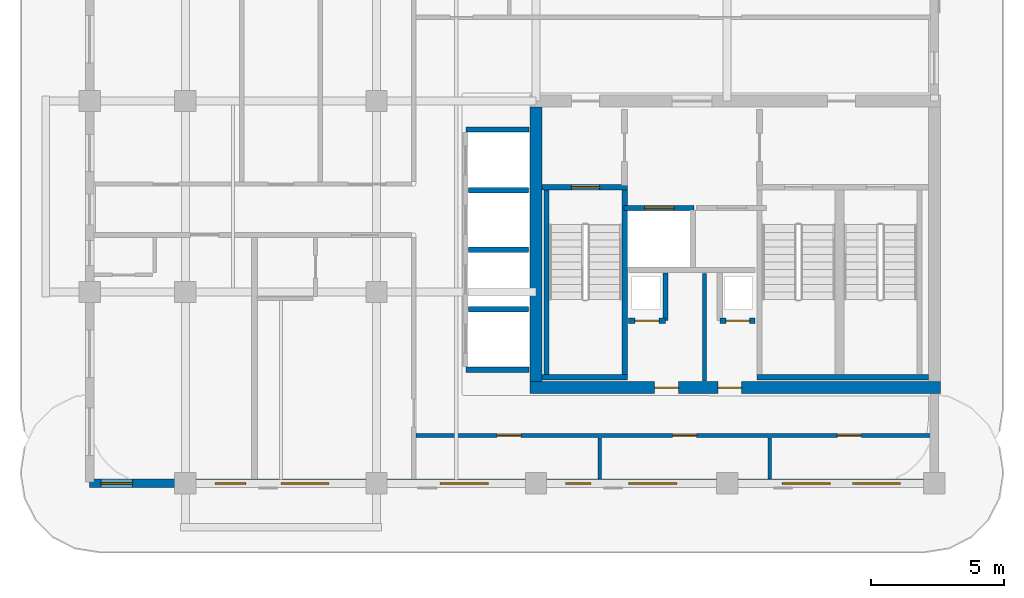
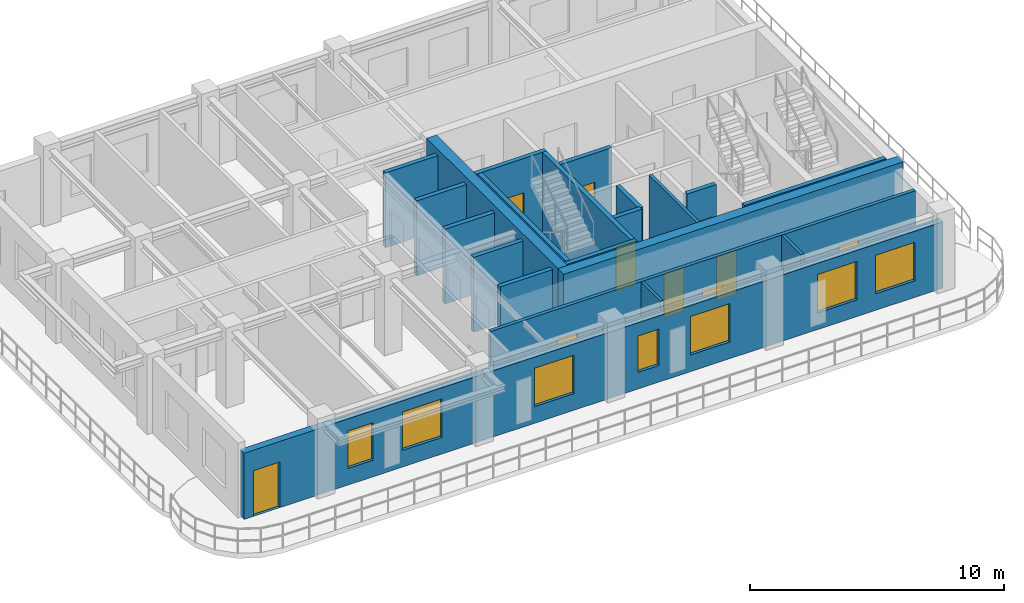
# One storey, part 3 of 7: 21 walls, 10 doors, 7 windows, 17 openings.
"""IFC4 building model written with IfcOpenShell, lengths in metres."""

from ifc_helpers import new_model, si_unit, derived_unit, direction, frame, frame_2d, origin, place, context, subcontext, project, spatial, rectangle, extrude, source, transform, mapped, material, layer, layer_set, type_object, type_shapes, element, fill, save


model = new_model("IFC4")

# Units and contexts
model_context = context("Model", 3, precision=1e-05, world=origin(), true_north=direction((0.0, 1.0)))
body_context = subcontext(model_context, "Body", "Model", "MODEL_VIEW")
ifc_project = project(units=[si_unit("LENGTHUNIT", "METRE"), si_unit("AREAUNIT", "SQUARE_METRE"), si_unit("VOLUMEUNIT", "CUBIC_METRE"), si_unit("PLANEANGLEUNIT", "RADIAN"), si_unit("MASSUNIT", "GRAM", prefix="KILO"), si_unit("THERMODYNAMICTEMPERATUREUNIT", "KELVIN"), si_unit("POWERUNIT", "WATT"), derived_unit("THERMALTRANSMITTANCEUNIT", [(si_unit("POWERUNIT", "WATT"), 1), (si_unit("AREAUNIT", "SQUARE_METRE"), -1), (si_unit("THERMODYNAMICTEMPERATUREUNIT", "KELVIN"), -1)])], contexts=[model_context])

# Site, building, storey
site_placement = place(None, origin())
site = spatial("IfcSite", under=ifc_project, at=site_placement, CompositionType="ELEMENT")
building_placement = place(site_placement, origin())
building = spatial("IfcBuilding", under=site, at=building_placement, Name="Zahravan Archway Hotel and Residences", CompositionType="ELEMENT")
storey_placement = place(building_placement, frame((0.0, 0.0, 271.199951171875)))
storey = spatial("IfcBuildingStorey", under=building, at=storey_placement, Name="L68", CompositionType="ELEMENT", Elevation=271.199951171875)

# Wall, openings, doors
ifc_material_1 = material(Name="Concrete C50/60", Category="concrete")
ifc_layer_1 = layer(ifc_material_1, 0.449951171875, Name="Concrete C50/60", Category="concrete")
ifc_layer_set_1 = layer_set([ifc_layer_1], Name="Concrete C50/60")
wall_type_1 = type_object("IfcWallType", Name="CW-CORE-450", PredefinedType="SHEAR", material=ifc_layer_set_1)
wall_1_placement = place(storey_placement, frame((34.574951171875, 3.60009765625, 0.0), z_axis=(0.0, 0.0, 1.0), x_axis=(1.0, 0.0, 0.0)))
wall_1 = element("IfcWall", 1, at=wall_1_placement, inside=storey, type_object=wall_type_1, Name="L68 Core A Shear S Wall 450 mm", PredefinedType="SHEAR", context=body_context, shape_type="SweptSolid", body=[
    extrude(rectangle(XDim=15.449951171875, YDim=0.449951171875, at=frame_2d((7.72509765625, 0.0))), origin(), (0.0, 0.0, 1.0), 3.85009765625),
])
opening_1_placement = place(wall_1_placement, frame((4.695068359375, 0.0, 0.0)))
opening_1 = element("IfcOpeningElement", 2, at=opening_1_placement, cuts=wall_1, Name="Opening FD-R1", PredefinedType="OPENING", context=body_context, shape_type="SweptSolid", body=[
    extrude(rectangle(XDim=0.89990234375, YDim=2.10009765625, at=frame_2d((0.449951171875, 1.050048828125))), frame((0.0, 0.23486328125, 0.0), z_axis=(0.0, -1.0, 0.0), x_axis=(1.0, 0.0, 0.0)), (0.0, 0.0, 1.0), 0.469970703125),
])
opening_2_placement = place(wall_1_placement, frame((7.074951171875, 0.0, 0.0)))
opening_2 = element("IfcOpeningElement", 3, at=opening_2_placement, cuts=wall_1, Name="Opening FD-R1", PredefinedType="OPENING", context=body_context, shape_type="SweptSolid", body=[
    extrude(rectangle(XDim=0.89990234375, YDim=2.10009765625, at=frame_2d((0.449951171875, 1.050048828125))), frame((0.0, 0.23486328125, 0.0), z_axis=(0.0, -1.0, 0.0), x_axis=(1.0, 0.0, 0.0)), (0.0, 0.0, 1.0), 0.469970703125),
])
ifc_material_2 = material(Name="Fire-Rated Painted Steel", Category="steel")
door_type_1 = type_object("IfcDoorType", Name="FD-RISER-900", OperationType="NOTDEFINED", PredefinedType="DOOR", material=ifc_material_2)
shared_shape_1 = source(origin(), body_context, "Body", "SweptSolid", [
    extrude(rectangle(XDim=0.89990234375, YDim=2.10009765625, at=frame_2d((0.449951171875, 1.050048828125))), frame((0.0, 0.02490234375, 0.0), z_axis=(0.0, -1.0, 0.0), x_axis=(1.0, 0.0, 0.0)), (0.0, 0.0, 1.0), 0.050048828125),
])
type_shapes(door_type_1, [shared_shape_1])
door_1_placement = place(opening_1_placement, origin())
door_1 = element("IfcDoor", 4, at=door_1_placement, inside=storey, type_object=door_type_1, Name="L68 Fan Room Door", OperationType="SINGLE_SWING_LEFT", OverallHeight=2.10009765625, OverallWidth=0.89990234375, PredefinedType="DOOR", context=body_context, shape_type="MappedRepresentation", body=[
    mapped(shared_shape_1, transform((0.0, 0.0, 0.0), scale=1.0)),
])
fill(opening_1, door_1)
door_2_placement = place(opening_2_placement, origin())
door_2 = element("IfcDoor", 5, at=door_2_placement, inside=storey, type_object=door_type_1, Name="L68 Sub-Meter Cupboard Door", OperationType="SINGLE_SWING_RIGHT", OverallHeight=2.10009765625, OverallWidth=0.89990234375, PredefinedType="DOOR", context=body_context, shape_type="MappedRepresentation", body=[
    mapped(shared_shape_1, transform((0.0, 0.0, 0.0), scale=1.0)),
])
fill(opening_2, door_2)

# Wall
wall_2_placement = place(storey_placement, frame((34.800048828125, 3.824951171875, 0.0), z_axis=(0.0, 0.0, 1.0), x_axis=(0.0, 1.0, 0.0)))
element("IfcWall", 6, at=wall_2_placement, inside=storey, type_object=wall_type_1, Name="L68 Core A Shear W Wall 450 mm", PredefinedType="SHEAR", context=body_context, shape_type="SweptSolid", body=[
    extrude(rectangle(XDim=10.35009765625, YDim=0.449951171875, at=frame_2d((5.175048828125, 0.0))), origin(), (0.0, 0.0, 1.0), 3.85009765625),
])

# Wall, openings, door, windows
ifc_material_3 = material(Name="Agra Buff Sandstone & Insulated Backup", Category="masonry")
ifc_layer_2 = layer(ifc_material_3, 0.320068359375, Name="Agra Buff Sandstone & Insulated Backup", Category="masonry")
ifc_layer_set_2 = layer_set([ifc_layer_2], Name="Agra Buff Sandstone & Insulated Backup")
wall_type_2 = type_object("IfcWallType", Name="EW-SAND-320", PredefinedType="SOLIDWALL", material=ifc_layer_set_2)
wall_3_placement = place(storey_placement, frame((18.0, 0.0, 0.0), z_axis=(0.0, 0.0, 1.0), x_axis=(1.0, 0.0, 0.0)))
wall_3 = element("IfcWall", 7, at=wall_3_placement, inside=storey, type_object=wall_type_2, Name="L68 Exterior Sandstone Wall WA-S", PredefinedType="SOLIDWALL", context=body_context, shape_type="SweptSolid", body=[
    extrude(rectangle(XDim=31.800048828125, YDim=0.320068359375, at=frame_2d((15.89990234375, 0.0))), origin(), (0.0, 0.0, 1.0), 3.18505859375),
])
opening_3_placement = place(wall_3_placement, frame((0.419921875, 0.0, 0.0)))
opening_3 = element("IfcOpeningElement", 8, at=opening_3_placement, cuts=wall_3, Name="Opening ED-BL1", PredefinedType="OPENING", context=body_context, shape_type="SweptSolid", body=[
    extrude(rectangle(XDim=1.199951171875, YDim=2.199951171875, at=frame_2d((0.60009765625, 1.10009765625))), frame((0.0, 0.169921875, 0.0), z_axis=(0.0, -1.0, 0.0), x_axis=(1.0, 0.0, 0.0)), (0.0, 0.0, 1.0), 0.340087890625),
])
opening_4_placement = place(wall_3_placement, frame((4.720947265625, 0.0, 0.800048828125)))
opening_4 = element("IfcOpeningElement", 9, at=opening_4_placement, cuts=wall_3, Name="Opening W-05", PredefinedType="OPENING", context=body_context, shape_type="SweptSolid", body=[
    extrude(rectangle(XDim=1.14990234375, YDim=1.800048828125, at=frame_2d((0.574951171875, 0.89990234375))), frame((0.0, 0.169921875, 0.0), z_axis=(0.0, -1.0, 0.0), x_axis=(1.0, 0.0, 0.0)), (0.0, 0.0, 1.0), 0.340087890625),
])
opening_5_placement = place(wall_3_placement, frame((7.2041015625, 0.0, 0.800048828125)))
opening_5 = element("IfcOpeningElement", 10, at=opening_5_placement, cuts=wall_3, Name="Opening W-02", PredefinedType="OPENING", context=body_context, shape_type="SweptSolid", body=[
    extrude(rectangle(XDim=1.800048828125, YDim=1.85009765625, at=frame_2d((0.89990234375, 0.925048828125))), frame((0.0, 0.169921875, 0.0), z_axis=(0.0, -1.0, 0.0), x_axis=(1.0, 0.0, 0.0)), (0.0, 0.0, 1.0), 0.340087890625),
])
opening_6_placement = place(wall_3_placement, frame((13.2041015625, 0.0, 0.800048828125)))
opening_6 = element("IfcOpeningElement", 11, at=opening_6_placement, cuts=wall_3, Name="Opening W-02", PredefinedType="OPENING", context=body_context, shape_type="SweptSolid", body=[
    extrude(rectangle(XDim=1.800048828125, YDim=1.85009765625, at=frame_2d((0.89990234375, 0.925048828125))), frame((0.0, 0.169921875, 0.0), z_axis=(0.0, -1.0, 0.0), x_axis=(1.0, 0.0, 0.0)), (0.0, 0.0, 1.0), 0.340087890625),
])
opening_7_placement = place(wall_3_placement, frame((17.9208984375, 0.0, 0.800048828125)))
opening_7 = element("IfcOpeningElement", 12, at=opening_7_placement, cuts=wall_3, Name="Opening W-04", PredefinedType="OPENING", context=body_context, shape_type="SweptSolid", body=[
    extrude(rectangle(XDim=0.949951171875, YDim=1.75, at=frame_2d((0.47509765625, 0.875))), frame((0.0, 0.169921875, 0.0), z_axis=(0.0, -1.0, 0.0), x_axis=(1.0, 0.0, 0.0)), (0.0, 0.0, 1.0), 0.340087890625),
])
opening_8_placement = place(wall_3_placement, frame((20.303955078125, 0.0, 0.800048828125)))
opening_8 = element("IfcOpeningElement", 13, at=opening_8_placement, cuts=wall_3, Name="Opening W-02", PredefinedType="OPENING", context=body_context, shape_type="SweptSolid", body=[
    extrude(rectangle(XDim=1.800048828125, YDim=1.85009765625, at=frame_2d((0.89990234375, 0.925048828125))), frame((0.0, 0.169921875, 0.0), z_axis=(0.0, -1.0, 0.0), x_axis=(1.0, 0.0, 0.0)), (0.0, 0.0, 1.0), 0.340087890625),
])
opening_9_placement = place(wall_3_placement, frame((26.0810546875, 0.0, 0.800048828125)))
opening_9 = element("IfcOpeningElement", 14, at=opening_9_placement, cuts=wall_3, Name="Opening W-02", PredefinedType="OPENING", context=body_context, shape_type="SweptSolid", body=[
    extrude(rectangle(XDim=1.800048828125, YDim=1.85009765625, at=frame_2d((0.89990234375, 0.925048828125))), frame((0.0, 0.169921875, 0.0), z_axis=(0.0, -1.0, 0.0), x_axis=(1.0, 0.0, 0.0)), (0.0, 0.0, 1.0), 0.340087890625),
])
opening_10_placement = place(wall_3_placement, frame((28.72705078125, 0.0, 0.800048828125)))
opening_10 = element("IfcOpeningElement", 15, at=opening_10_placement, cuts=wall_3, Name="Opening W-02", PredefinedType="OPENING", context=body_context, shape_type="SweptSolid", body=[
    extrude(rectangle(XDim=1.800048828125, YDim=1.85009765625, at=frame_2d((0.89990234375, 0.925048828125))), frame((0.0, 0.169921875, 0.0), z_axis=(0.0, -1.0, 0.0), x_axis=(1.0, 0.0, 0.0)), (0.0, 0.0, 1.0), 0.340087890625),
])
ifc_material_4 = material(Name="Bronze-Anodized Glazed Aluminium", Category="aluminium")
door_type_2 = type_object("IfcDoorType", Name="ED-BALC-1200", OperationType="SLIDING_TO_LEFT", PredefinedType="DOOR", material=ifc_material_4)
shared_shape_2 = source(origin(), body_context, "Body", "SweptSolid", [
    extrude(rectangle(XDim=1.199951171875, YDim=2.199951171875, at=frame_2d((0.60009765625, 1.10009765625))), frame((0.0, 0.02490234375, 0.0), z_axis=(0.0, -1.0, 0.0), x_axis=(1.0, 0.0, 0.0)), (0.0, 0.0, 1.0), 0.050048828125),
])
type_shapes(door_type_2, [shared_shape_2])
door_3_placement = place(opening_3_placement, origin())
door_3 = element("IfcDoor", 16, at=door_3_placement, inside=storey, type_object=door_type_2, Name="L68 Outdoor Access Sliding Door (SLB-BAL-L68-SA)", OperationType="SLIDING_TO_LEFT", OverallHeight=2.199951171875, OverallWidth=1.199951171875, PredefinedType="DOOR", context=body_context, shape_type="MappedRepresentation", body=[
    mapped(shared_shape_2, transform((0.0, 0.0, 0.0), scale=1.0)),
])
fill(opening_3, door_3)
ifc_material_5 = material(Name="Bronze-Anodized Thermal-Break Aluminium & Low-E Glass", Category="aluminium")
window_type_1 = type_object("IfcWindowType", Name="WIN-NAR-950", PartitioningType="SINGLE_PANEL", PredefinedType="WINDOW", material=ifc_material_5)
shared_shape_3 = source(origin(), body_context, "Body", "SweptSolid", [
    extrude(rectangle(XDim=0.949951171875, YDim=1.75, at=frame_2d((0.47509765625, 0.875))), frame((0.0, 0.030029296875, 0.0), z_axis=(0.0, -1.0, 0.0), x_axis=(1.0, 0.0, 0.0)), (0.0, 0.0, 1.0), 0.06005859375),
])
type_shapes(window_type_1, [shared_shape_3])
window_1_placement = place(opening_7_placement, origin())
window_1 = element("IfcWindow", 17, at=window_1_placement, inside=storey, type_object=window_type_1, Name="L68 Loggia Window 04", OverallHeight=1.75, OverallWidth=0.949951171875, PartitioningType="SINGLE_PANEL", PredefinedType="WINDOW", context=body_context, shape_type="MappedRepresentation", body=[
    mapped(shared_shape_3, transform((0.0, 0.0, 0.0), scale=1.0)),
])
fill(opening_7, window_1)
window_type_2 = type_object("IfcWindowType", Name="WIN-TWR-1800", PartitioningType="DOUBLE_PANEL_VERTICAL", PredefinedType="WINDOW", material=ifc_material_5)
shared_shape_4 = source(origin(), body_context, "Body", "SweptSolid", [
    extrude(rectangle(XDim=1.800048828125, YDim=1.85009765625, at=frame_2d((0.89990234375, 0.925048828125))), frame((0.0, 0.030029296875, 0.0), z_axis=(0.0, -1.0, 0.0), x_axis=(1.0, 0.0, 0.0)), (0.0, 0.0, 1.0), 0.06005859375),
])
type_shapes(window_type_2, [shared_shape_4])
window_2_placement = place(opening_5_placement, origin())
window_2 = element("IfcWindow", 18, at=window_2_placement, inside=storey, type_object=window_type_2, Name="L68 Loggia Window 02", OverallHeight=1.85009765625, OverallWidth=1.800048828125, PartitioningType="DOUBLE_PANEL_VERTICAL", PredefinedType="WINDOW", context=body_context, shape_type="MappedRepresentation", body=[
    mapped(shared_shape_4, transform((0.0, 0.0, 0.0), scale=1.0)),
])
fill(opening_5, window_2)
window_3_placement = place(opening_6_placement, origin())
window_3 = element("IfcWindow", 19, at=window_3_placement, inside=storey, type_object=window_type_2, Name="L68 Loggia Window 03", OverallHeight=1.85009765625, OverallWidth=1.800048828125, PartitioningType="DOUBLE_PANEL_VERTICAL", PredefinedType="WINDOW", context=body_context, shape_type="MappedRepresentation", body=[
    mapped(shared_shape_4, transform((0.0, 0.0, 0.0), scale=1.0)),
])
fill(opening_6, window_3)
window_4_placement = place(opening_8_placement, origin())
window_4 = element("IfcWindow", 20, at=window_4_placement, inside=storey, type_object=window_type_2, Name="L68 Loggia Window 05", OverallHeight=1.85009765625, OverallWidth=1.800048828125, PartitioningType="DOUBLE_PANEL_VERTICAL", PredefinedType="WINDOW", context=body_context, shape_type="MappedRepresentation", body=[
    mapped(shared_shape_4, transform((0.0, 0.0, 0.0), scale=1.0)),
])
fill(opening_8, window_4)
window_5_placement = place(opening_9_placement, origin())
window_5 = element("IfcWindow", 21, at=window_5_placement, inside=storey, type_object=window_type_2, Name="L68 Loggia Window 06", OverallHeight=1.85009765625, OverallWidth=1.800048828125, PartitioningType="DOUBLE_PANEL_VERTICAL", PredefinedType="WINDOW", context=body_context, shape_type="MappedRepresentation", body=[
    mapped(shared_shape_4, transform((0.0, 0.0, 0.0), scale=1.0)),
])
fill(opening_9, window_5)
window_6_placement = place(opening_10_placement, origin())
window_6 = element("IfcWindow", 22, at=window_6_placement, inside=storey, type_object=window_type_2, Name="L68 Loggia Window 07", OverallHeight=1.85009765625, OverallWidth=1.800048828125, PartitioningType="DOUBLE_PANEL_VERTICAL", PredefinedType="WINDOW", context=body_context, shape_type="MappedRepresentation", body=[
    mapped(shared_shape_4, transform((0.0, 0.0, 0.0), scale=1.0)),
])
fill(opening_10, window_6)
window_type_3 = type_object("IfcWindowType", Name="WIN-TWR-1150", PartitioningType="SINGLE_PANEL", PredefinedType="WINDOW", material=ifc_material_5)
shared_shape_5 = source(origin(), body_context, "Body", "SweptSolid", [
    extrude(rectangle(XDim=1.14990234375, YDim=1.800048828125, at=frame_2d((0.574951171875, 0.89990234375))), frame((0.0, 0.030029296875, 0.0), z_axis=(0.0, -1.0, 0.0), x_axis=(1.0, 0.0, 0.0)), (0.0, 0.0, 1.0), 0.06005859375),
])
type_shapes(window_type_3, [shared_shape_5])
window_7_placement = place(opening_4_placement, origin())
window_7 = element("IfcWindow", 23, at=window_7_placement, inside=storey, type_object=window_type_3, Name="L68 Loggia Window 01", OverallHeight=1.800048828125, OverallWidth=1.14990234375, PartitioningType="SINGLE_PANEL", PredefinedType="WINDOW", context=body_context, shape_type="MappedRepresentation", body=[
    mapped(shared_shape_5, transform((0.0, 0.0, 0.0), scale=1.0)),
])
fill(opening_4, window_7)

# Wall, openings, doors
ifc_material_6 = material(Name="Fire-Rated Gypsum & Concrete Block", Category="concrete")
ifc_layer_3 = layer(ifc_material_6, 0.159912109375, Name="Fire-Rated Gypsum & Concrete Block", Category="concrete")
ifc_layer_set_3 = layer_set([ifc_layer_3], Name="Fire-Rated Gypsum & Concrete Block")
wall_type_3 = type_object("IfcWallType", Name="PW-CORR-160", PredefinedType="PARTITIONING", material=ifc_layer_set_3)
wall_4_placement = place(storey_placement, frame((30.2900390625, 1.800048828125, 0.0), z_axis=(0.0, 0.0, 1.0), x_axis=(1.0, 0.0, 0.0)))
wall_4 = element("IfcWall", 24, at=wall_4_placement, inside=storey, type_object=wall_type_3, Name="L68 Partition WA-SRS", PredefinedType="PARTITIONING", context=body_context, shape_type="SweptSolid", body=[
    extrude(rectangle(XDim=19.369873046875, YDim=0.159912109375, at=frame_2d((9.68505859375, 0.0))), origin(), (0.0, 0.0, 1.0), 3.60009765625),
])
opening_11_placement = place(wall_4_placement, frame((3.0537109375, 0.0, 0.0)))
opening_11 = element("IfcOpeningElement", 25, at=opening_11_placement, cuts=wall_4, Name="Opening D-I2", PredefinedType="OPENING", context=body_context, shape_type="SweptSolid", body=[
    extrude(rectangle(XDim=0.89990234375, YDim=2.14990234375, at=frame_2d((0.449951171875, 1.074951171875))), frame((0.0, 0.08984375, 0.0), z_axis=(0.0, -1.0, 0.0), x_axis=(1.0, 0.0, 0.0)), (0.0, 0.0, 1.0), 0.179931640625),
])
opening_12_placement = place(wall_4_placement, frame((9.659912109375, 0.0, 0.0)))
opening_12 = element("IfcOpeningElement", 26, at=opening_12_placement, cuts=wall_4, Name="Opening D-I2", PredefinedType="OPENING", context=body_context, shape_type="SweptSolid", body=[
    extrude(rectangle(XDim=0.89990234375, YDim=2.14990234375, at=frame_2d((0.449951171875, 1.074951171875))), frame((0.0, 0.08984375, 0.0), z_axis=(0.0, -1.0, 0.0), x_axis=(1.0, 0.0, 0.0)), (0.0, 0.0, 1.0), 0.179931640625),
])
opening_13_placement = place(wall_4_placement, frame((15.860107421875, 0.0, 0.0)))
opening_13 = element("IfcOpeningElement", 27, at=opening_13_placement, cuts=wall_4, Name="Opening D-I2", PredefinedType="OPENING", context=body_context, shape_type="SweptSolid", body=[
    extrude(rectangle(XDim=0.89990234375, YDim=2.14990234375, at=frame_2d((0.449951171875, 1.074951171875))), frame((0.0, 0.08984375, 0.0), z_axis=(0.0, -1.0, 0.0), x_axis=(1.0, 0.0, 0.0)), (0.0, 0.0, 1.0), 0.179931640625),
])
ifc_material_7 = material(Name="Hardwood Veneer Timber", Category="wood")
door_type_3 = type_object("IfcDoorType", Name="ID-INT-900", OperationType="NOTDEFINED", PredefinedType="DOOR", material=ifc_material_7)
shared_shape_6 = source(origin(), body_context, "Body", "SweptSolid", [
    extrude(rectangle(XDim=0.89990234375, YDim=2.14990234375, at=frame_2d((0.449951171875, 1.074951171875))), frame((0.0, 0.02490234375, 0.0), z_axis=(0.0, -1.0, 0.0), x_axis=(1.0, 0.0, 0.0)), (0.0, 0.0, 1.0), 0.050048828125),
])
type_shapes(door_type_3, [shared_shape_6])
door_4_placement = place(opening_11_placement, origin())
door_4 = element("IfcDoor", 28, at=door_4_placement, inside=storey, type_object=door_type_3, Name="L68 South Office Door", OperationType="SINGLE_SWING_RIGHT", OverallHeight=2.14990234375, OverallWidth=0.89990234375, PredefinedType="DOOR", context=body_context, shape_type="MappedRepresentation", body=[
    mapped(shared_shape_6, transform((0.0, 0.0, 0.0), scale=1.0)),
])
fill(opening_11, door_4)
door_5_placement = place(opening_12_placement, origin())
door_5 = element("IfcDoor", 29, at=door_5_placement, inside=storey, type_object=door_type_3, Name="L68 South Meeting Door", OperationType="SINGLE_SWING_LEFT", OverallHeight=2.14990234375, OverallWidth=0.89990234375, PredefinedType="DOOR", context=body_context, shape_type="MappedRepresentation", body=[
    mapped(shared_shape_6, transform((0.0, 0.0, 0.0), scale=1.0)),
])
fill(opening_12, door_5)
door_6_placement = place(opening_13_placement, origin())
door_6 = element("IfcDoor", 30, at=door_6_placement, inside=storey, type_object=door_type_3, Name="L68 South Prayer Alcove Door", OperationType="SINGLE_SWING_RIGHT", OverallHeight=2.14990234375, OverallWidth=0.89990234375, PredefinedType="DOOR", context=body_context, shape_type="MappedRepresentation", body=[
    mapped(shared_shape_6, transform((0.0, 0.0, 0.0), scale=1.0)),
])
fill(opening_13, door_6)

# Walls
ifc_material_8 = material(Name="Acoustic Stud Partition")
ifc_layer_4 = layer(ifc_material_8, 0.125, Name="Acoustic Stud Partition")
ifc_layer_set_4 = layer_set([ifc_layer_4], Name="Acoustic Stud Partition")
wall_type_4 = type_object("IfcWallType", Name="PW-INT-125", PredefinedType="PARTITIONING", material=ifc_layer_set_4)
for number, where, z_axis, x_axis, name in (
    (31, (37.199951171875, 0.16796875, 0.0), (0.0, 0.0, 1.0), (0.0, 1.0, 0.0), "L68 Partition S-DIV2A"),
    (32, (43.60009765625, 0.16796875, 0.0), (0.0, 0.0, 1.0), (0.0, 1.0, 0.0), "L68 Partition S-DIV2B"),
):
    element("IfcWall", number, at=place(storey_placement, frame(where, z_axis=z_axis, x_axis=x_axis)), inside=storey, type_object=wall_type_4, Name=name, PredefinedType="PARTITIONING", context=body_context, shape_type="SweptSolid", body=[
        extrude(rectangle(XDim=1.5419921875, YDim=0.125, at=frame_2d((0.77099609375, 0.0))), origin(), (0.0, 0.0, 1.0), 3.60009765625),
    ])

# Wall, opening, door
ifc_layer_5 = layer(ifc_material_6, 0.199951171875, Name="Fire-Rated Gypsum & Concrete Block", Category="concrete")
ifc_layer_set_5 = layer_set([ifc_layer_5], Name="Fire-Rated Gypsum & Concrete Block")
wall_type_5 = type_object("IfcWallType", Name="PW-SHAFT-200", PredefinedType="PARTITIONING", material=ifc_layer_set_5)
wall_5_placement = place(storey_placement, frame((38.2900390625, 6.1201171875, 0.0), z_axis=(0.0, 0.0, 1.0), x_axis=(1.0, 0.0, 0.0)))
wall_5 = element("IfcWall", 33, at=wall_5_placement, inside=storey, type_object=wall_type_5, Name="L68 Partition CA-SMKS", PredefinedType="PARTITIONING", context=body_context, shape_type="SweptSolid", body=[
    extrude(rectangle(XDim=1.3798828125, YDim=0.199951171875, at=frame_2d((0.68994140625, 0.0))), origin(), (0.0, 0.0, 1.0), 3.60009765625),
])
opening_14_placement = place(wall_5_placement, frame((0.239990234375, 0.0, 0.0)))
opening_14 = element("IfcOpeningElement", 34, at=opening_14_placement, cuts=wall_5, Name="Opening FD-R1", PredefinedType="OPENING", context=body_context, shape_type="SweptSolid", body=[
    extrude(rectangle(XDim=0.89990234375, YDim=2.10009765625, at=frame_2d((0.449951171875, 1.050048828125))), frame((0.0, 0.10986328125, 0.0), z_axis=(0.0, -1.0, 0.0), x_axis=(1.0, 0.0, 0.0)), (0.0, 0.0, 1.0), 0.219970703125),
])
door_7_placement = place(opening_14_placement, origin())
door_7 = element("IfcDoor", 35, at=door_7_placement, inside=storey, type_object=door_type_1, Name="L68 Smoke Riser Access Door", OperationType="SINGLE_SWING_LEFT", OverallHeight=2.10009765625, OverallWidth=0.89990234375, PredefinedType="DOOR", context=body_context, shape_type="MappedRepresentation", body=[
    mapped(shared_shape_1, transform((0.0, 0.0, 0.0), scale=1.0)),
])
fill(opening_14, door_7)

# Wall
wall_6_placement = place(storey_placement, frame((39.679931640625, 6.1298828125, 0.0), z_axis=(0.0, 0.0, 1.0), x_axis=(0.0, 1.0, 0.0)))
element("IfcWall", 36, at=wall_6_placement, inside=storey, type_object=wall_type_5, Name="L68 Partition CA-SMKE", PredefinedType="PARTITIONING", context=body_context, shape_type="SweptSolid", body=[
    extrude(rectangle(XDim=1.7900390625, YDim=0.199951171875, at=frame_2d((0.89501953125, 0.0))), origin(), (0.0, 0.0, 1.0), 3.60009765625),
])

# Wall, opening, door
wall_7_placement = place(storey_placement, frame((41.72998046875, 6.1201171875, 0.0), z_axis=(0.0, 0.0, 1.0), x_axis=(1.0, 0.0, 0.0)))
wall_7 = element("IfcWall", 37, at=wall_7_placement, inside=storey, type_object=wall_type_5, Name="L68 Partition CA-MEPS", PredefinedType="PARTITIONING", context=body_context, shape_type="SweptSolid", body=[
    extrude(rectangle(XDim=1.320068359375, YDim=0.199951171875, at=frame_2d((0.66015625, 0.0))), origin(), (0.0, 0.0, 1.0), 3.60009765625),
])
opening_15_placement = place(wall_7_placement, frame((0.219970703125, 0.0, 0.0)))
opening_15 = element("IfcOpeningElement", 38, at=opening_15_placement, cuts=wall_7, Name="Opening FD-R1", PredefinedType="OPENING", context=body_context, shape_type="SweptSolid", body=[
    extrude(rectangle(XDim=0.89990234375, YDim=2.10009765625, at=frame_2d((0.449951171875, 1.050048828125))), frame((0.0, 0.10986328125, 0.0), z_axis=(0.0, -1.0, 0.0), x_axis=(1.0, 0.0, 0.0)), (0.0, 0.0, 1.0), 0.219970703125),
])
door_8_placement = place(opening_15_placement, origin())
door_8 = element("IfcDoor", 39, at=door_8_placement, inside=storey, type_object=door_type_1, Name="L68 MEP Riser Access Door", OperationType="SINGLE_SWING_RIGHT", OverallHeight=2.10009765625, OverallWidth=0.89990234375, PredefinedType="DOOR", context=body_context, shape_type="MappedRepresentation", body=[
    mapped(shared_shape_1, transform((0.0, 0.0, 0.0), scale=1.0)),
])
fill(opening_15, door_8)

# Walls
for number, where, z_axis, x_axis, name in (
    (40, (32.159912109375, 4.280029296875, 0.0), (0.0, 0.0, 1.0), (1.0, 0.0, 0.0), "L68 Partition B3-S"),
    (41, (32.159912109375, 13.320068359375, 0.0), (0.0, 0.0, 1.0), (1.0, 0.0, 0.0), "L68 Partition B3-N"),
):
    element("IfcWall", number, at=place(storey_placement, frame(where, z_axis=z_axis, x_axis=x_axis)), inside=storey, type_object=wall_type_5, Name=name, PredefinedType="PARTITIONING", context=body_context, shape_type="SweptSolid", body=[
        extrude(rectangle(XDim=2.385009765625, YDim=0.199951171875, at=frame_2d((1.1923828125, 0.0))), origin(), (0.0, 0.0, 1.0), 3.60009765625),
    ])
for number, where, z_axis, x_axis, name in (
    (42, (32.260009765625, 6.56005859375, 0.0), (0.0, 0.0, 1.0), (1.0, 0.0, 0.0), "L68 Partition B3-D"),
    (43, (32.260009765625, 8.800048828125, 0.0), (0.0, 0.0, 1.0), (1.0, 0.0, 0.0), "L68 Partition B3-D"),
    (44, (32.260009765625, 11.0400390625, 0.0), (0.0, 0.0, 1.0), (1.0, 0.0, 0.0), "L68 Partition B3-D"),
):
    element("IfcWall", number, at=place(storey_placement, frame(where, z_axis=z_axis, x_axis=x_axis)), inside=storey, type_object=wall_type_5, Name=name, PredefinedType="PARTITIONING", context=body_context, shape_type="SweptSolid", body=[
        extrude(rectangle(XDim=2.2548828125, YDim=0.199951171875, at=frame_2d((1.12744140625, 0.0))), origin(), (0.0, 0.0, 1.0), 3.60009765625),
    ])

# Wall, opening, door
wall_8_placement = place(storey_placement, frame((38.1201171875, 10.3701171875, 0.0), z_axis=(0.0, 0.0, 1.0), x_axis=(1.0, 0.0, 0.0)))
wall_8 = element("IfcWall", 45, at=wall_8_placement, inside=storey, type_object=wall_type_5, Name="L68 Lift FL-1 Front Wall", PredefinedType="PARTITIONING", context=body_context, shape_type="SweptSolid", body=[
    extrude(rectangle(XDim=2.639892578125, YDim=0.199951171875, at=frame_2d((1.31982421875, 0.0))), origin(), (0.0, 0.0, 1.0), 3.60009765625),
])
opening_16_placement = place(wall_8_placement, frame((0.77001953125, 0.0, 0.0)))
opening_16 = element("IfcOpeningElement", 46, at=opening_16_placement, cuts=wall_8, Name="Opening LD", PredefinedType="OPENING", context=body_context, shape_type="SweptSolid", body=[
    extrude(rectangle(XDim=1.10009765625, YDim=2.199951171875, at=frame_2d((0.550048828125, 1.10009765625))), frame((0.0, 0.10986328125, 0.0), z_axis=(0.0, -1.0, 0.0), x_axis=(1.0, 0.0, 0.0)), (0.0, 0.0, 1.0), 0.219970703125),
])
ifc_material_9 = material(Name="Brushed Stainless Steel", Category="steel")
door_type_4 = type_object("IfcDoorType", Name="DR-LIFT-LD", OperationType="SLIDING_TO_LEFT", PredefinedType="DOOR", material=ifc_material_9)
shared_shape_7 = source(origin(), body_context, "Body", "SweptSolid", [
    extrude(rectangle(XDim=1.10009765625, YDim=2.199951171875, at=frame_2d((0.550048828125, 1.10009765625))), frame((0.0, 0.02490234375, 0.0), z_axis=(0.0, -1.0, 0.0), x_axis=(1.0, 0.0, 0.0)), (0.0, 0.0, 1.0), 0.050048828125),
])
type_shapes(door_type_4, [shared_shape_7])
door_9_placement = place(opening_16_placement, origin())
door_9 = element("IfcDoor", 47, at=door_9_placement, inside=storey, type_object=door_type_4, Name="L68 Lift FL-1 Sliding Landing Door", OperationType="SLIDING_TO_LEFT", OverallHeight=2.199951171875, OverallWidth=1.10009765625, PredefinedType="DOOR", context=body_context, shape_type="MappedRepresentation", body=[
    mapped(shared_shape_7, transform((0.0, 0.0, 0.0), scale=1.0)),
])
fill(opening_16, door_9)

# Walls
ifc_material_10 = material(Name="Moisture-Resistant Blockwork", Category="masonry")
ifc_layer_6 = layer(ifc_material_10, 0.139892578125, Name="Moisture-Resistant Blockwork", Category="masonry")
ifc_layer_set_6 = layer_set([ifc_layer_6], Name="Moisture-Resistant Blockwork")
wall_type_6 = type_object("IfcWallType", Name="PW-WET-140", PredefinedType="PARTITIONING", material=ifc_layer_set_6)
wall_9_placement = place(storey_placement, frame((41.14990234375, 3.844970703125, 0.0), z_axis=(0.0, 0.0, 1.0), x_axis=(0.0, 1.0, 0.0)))
element("IfcWall", 48, at=wall_9_placement, inside=storey, type_object=wall_type_6, Name="L68 Partition CA-CV2V", PredefinedType="PARTITIONING", context=body_context, shape_type="SweptSolid", body=[
    extrude(rectangle(XDim=4.06494140625, YDim=0.139892578125, at=frame_2d((2.032470703125, 0.0))), origin(), (0.0, 0.0, 1.0), 3.60009765625),
])
ifc_layer_7 = layer(ifc_material_1, 0.199951171875, Name="Concrete C50/60", Category="concrete")
ifc_layer_set_7 = layer_set([ifc_layer_7], Name="Concrete C50/60")
wall_type_7 = type_object("IfcWallType", Name="SW-STAIR-200", PredefinedType="SHEAR", material=ifc_layer_set_7)
wall_10_placement = place(storey_placement, frame((35.02490234375, 4.0, 0.0), z_axis=(0.0, 0.0, 1.0), x_axis=(1.0, 0.0, 0.0)))
element("IfcWall", 49, at=wall_10_placement, inside=storey, type_object=wall_type_7, Name="L68 Stairwell RC Wall CA-SA1S", PredefinedType="SHEAR", context=body_context, shape_type="SweptSolid", body=[
    extrude(rectangle(XDim=3.215087890625, YDim=0.199951171875, at=frame_2d((1.607421875, 0.0))), origin(), (0.0, 0.0, 1.0), 3.85009765625),
])
for number, where, z_axis, x_axis, name in (
    (50, (35.199951171875, 4.10009765625, 0.0), (0.0, 0.0, 1.0), (0.0, 1.0, 0.0), "L68 Stairwell RC Wall CA-SA1W"),
    (51, (38.139892578125, 4.10009765625, 0.0), (0.0, 0.0, 1.0), (0.0, 1.0, 0.0), "L68 Stairwell RC Wall CA-SA1E"),
):
    element("IfcWall", number, at=place(storey_placement, frame(where, z_axis=z_axis, x_axis=x_axis)), inside=storey, type_object=wall_type_7, Name=name, PredefinedType="SHEAR", context=body_context, shape_type="SweptSolid", body=[
        extrude(rectangle(XDim=6.949951171875, YDim=0.199951171875, at=frame_2d((3.47509765625, 0.0))), origin(), (0.0, 0.0, 1.0), 3.85009765625),
    ])

# Wall, opening, door
wall_11_placement = place(storey_placement, frame((35.02490234375, 11.14990234375, 0.0), z_axis=(0.0, 0.0, 1.0), x_axis=(1.0, 0.0, 0.0)))
wall_11 = element("IfcWall", 52, at=wall_11_placement, inside=storey, type_object=wall_type_7, Name="L68 Stairwell RC Wall CA-SA1N", PredefinedType="SHEAR", context=body_context, shape_type="SweptSolid", body=[
    extrude(rectangle(XDim=3.215087890625, YDim=0.199951171875, at=frame_2d((1.607421875, 0.0))), origin(), (0.0, 0.0, 1.0), 3.85009765625),
])
opening_17_placement = place(wall_11_placement, frame((1.1201171875, 0.0, 0.0)))
opening_17 = element("IfcOpeningElement", 53, at=opening_17_placement, cuts=wall_11, Name="Opening FD-S1", PredefinedType="OPENING", context=body_context, shape_type="SweptSolid", body=[
    extrude(rectangle(XDim=1.050048828125, YDim=2.199951171875, at=frame_2d((0.52490234375, 1.10009765625))), frame((0.0, 0.10986328125, 0.0), z_axis=(0.0, -1.0, 0.0), x_axis=(1.0, 0.0, 0.0)), (0.0, 0.0, 1.0), 0.219970703125),
])
door_type_5 = type_object("IfcDoorType", Name="FD-STAIR-1100", OperationType="NOTDEFINED", PredefinedType="DOOR", material=ifc_material_2)
shared_shape_8 = source(origin(), body_context, "Body", "SweptSolid", [
    extrude(rectangle(XDim=1.050048828125, YDim=2.199951171875, at=frame_2d((0.52490234375, 1.10009765625))), frame((0.0, 0.02490234375, 0.0), z_axis=(0.0, -1.0, 0.0), x_axis=(1.0, 0.0, 0.0)), (0.0, 0.0, 1.0), 0.050048828125),
])
type_shapes(door_type_5, [shared_shape_8])
door_10_placement = place(opening_17_placement, origin())
door_10 = element("IfcDoor", 54, at=door_10_placement, inside=storey, type_object=door_type_5, Name="L68 Stair ST-A1 Door", OperationType="SINGLE_SWING_RIGHT", OverallHeight=2.199951171875, OverallWidth=1.050048828125, PredefinedType="DOOR", context=body_context, shape_type="MappedRepresentation", body=[
    mapped(shared_shape_8, transform((0.0, 0.0, 0.0), scale=1.0)),
])
fill(opening_17, door_10)

# Wall
wall_12_placement = place(storey_placement, frame((43.1201171875, 4.0, 0.0), z_axis=(0.0, 0.0, 1.0), x_axis=(1.0, 0.0, 0.0)))
element("IfcWall", 55, at=wall_12_placement, inside=storey, type_object=wall_type_7, Name="L68 Stairwell RC Wall CA-SA23S", PredefinedType="SHEAR", context=body_context, shape_type="SweptSolid", body=[
    extrude(rectangle(XDim=6.454833984375, YDim=0.199951171875, at=frame_2d((3.2275390625, 0.0))), origin(), (0.0, 0.0, 1.0), 3.85009765625),
])

save(model, "model.ifc")
